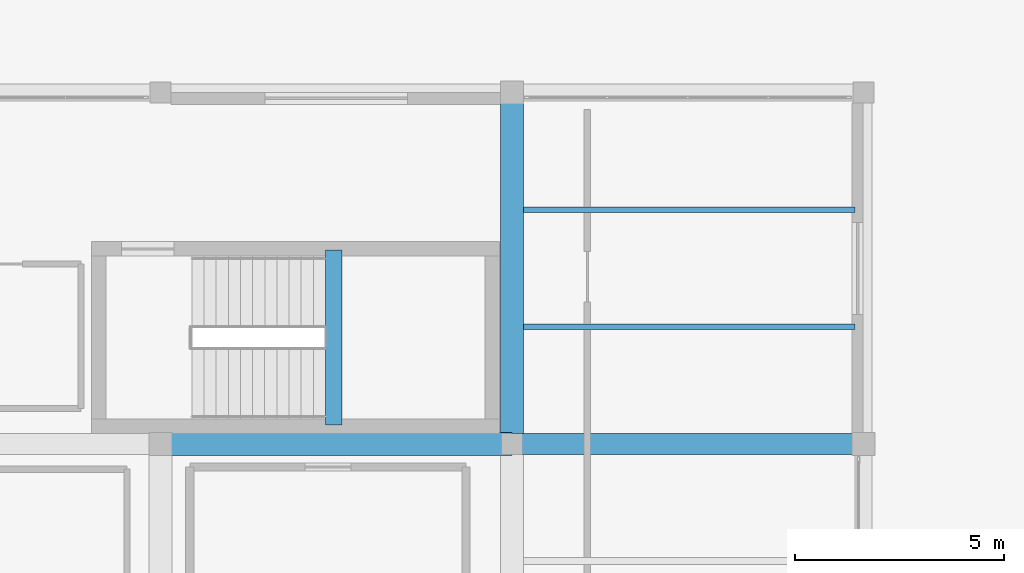
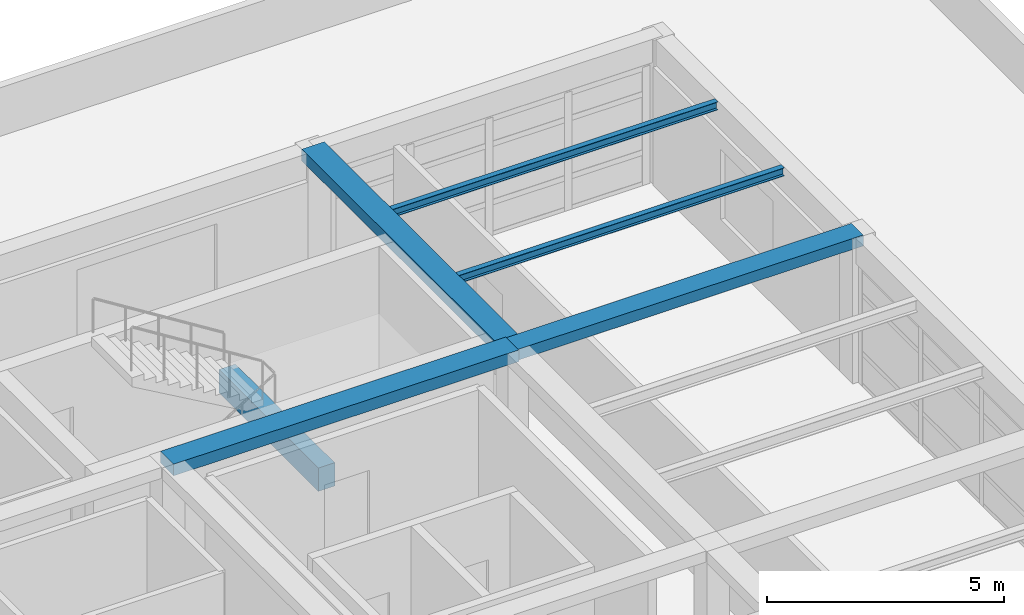
# One storey, part 12 of 22: 6 beams.
"""IFC4 building model written with IfcOpenShell, lengths in metres."""

from ifc_helpers import new_model, si_unit, direction, frame, origin, origin_2d, place, context, subcontext, project, spatial, rectangle, i_section, extrude, material, material_profile, profile_set, type_object, element, save


model = new_model("IFC4")

# Units and contexts
model_context = context("Model", 3, precision=1e-05, world=origin(), true_north=direction((0.0, 1.0)))
body_context = subcontext(model_context, "Body", "Model", "MODEL_VIEW")
ifc_project = project(units=[si_unit("LENGTHUNIT", "METRE"), si_unit("AREAUNIT", "SQUARE_METRE"), si_unit("VOLUMEUNIT", "CUBIC_METRE"), si_unit("PLANEANGLEUNIT", "RADIAN"), si_unit("MASSUNIT", "GRAM", prefix="KILO")], contexts=[model_context])

# Site, building, storey
site_placement = place(None, origin())
site = spatial("IfcSite", under=ifc_project, at=site_placement, CompositionType="ELEMENT")
building_placement = place(site_placement, origin())
building = spatial("IfcBuilding", under=site, at=building_placement, Name="Almacenes y Pasaje Nevantli", CompositionType="ELEMENT")
storey_placement = place(building_placement, frame((0.0, 0.0, 58.699951171875)))
storey = spatial("IfcBuildingStorey", under=building, at=storey_placement, Name="L14", CompositionType="ELEMENT", Elevation=58.699951171875)

# Beams
ifc_material_1 = material(Name="Concrete C35/45", Category="concrete")
ifc_material_profile_1 = material_profile(ifc_material_1, rectangle(XDim=0.39990234375, YDim=0.60009765625, at=origin_2d()), Name="RC-BM-400x600")
ifc_profile_set_1 = profile_set([ifc_material_profile_1], Name="Concrete C35/45")
beam_type_1 = type_object("IfcBeamType", Name="BM-RC-400x600", PredefinedType="SPANDREL", material=ifc_profile_set_1)
beam_1_placement = place(storey_placement, frame((138.5400390625, 84.449951171875, 1.5), z_axis=(0.0, 1.0, 0.0), x_axis=(-1.0, 0.0, 0.0)))
element("IfcBeam", 1, at=beam_1_placement, inside=storey, type_object=beam_type_1, Name="L14 Stair ST-02 Half-Landing Support Beam", PredefinedType="SPANDREL", context=body_context, shape_type="SweptSolid", body=[
    extrude(rectangle(XDim=0.39990234375, YDim=0.60009765625, at=origin_2d()), origin(), (0.0, 0.0, 1.0), 4.18994140625),
])
ifc_material_2 = material(Name="Concrete C35/45", Category="concrete")
ifc_material_profile_2 = material_profile(ifc_material_2, rectangle(XDim=0.5, YDim=0.280029296875, at=origin_2d()), Name="RC-BM-500x280")
ifc_profile_set_2 = profile_set([ifc_material_profile_2], Name="Concrete C35/45")
beam_type_2 = type_object("IfcBeamType", Name="BM-RC-500x280", PredefinedType="BEAM", material=ifc_profile_set_2)
beam_2_placement = place(storey_placement, frame((142.800048828125, 84.0, 3.580078125), z_axis=(1.0, 0.0, 0.0), x_axis=(0.0, 1.0, 0.0)))
element("IfcBeam", 2, at=beam_2_placement, inside=storey, type_object=beam_type_2, Name="L14 East-West Reinforced Concrete Beam #3996", PredefinedType="BEAM", context=body_context, shape_type="SweptSolid", body=[
    extrude(rectangle(XDim=0.5, YDim=0.280029296875, at=origin_2d()), origin(), (0.0, 0.0, 1.0), 8.39990234375),
])
ifc_material_3 = material(Name="Concrete C35/45", Category="concrete")
ifc_material_profile_3 = material_profile(ifc_material_3, rectangle(XDim=0.550048828125, YDim=0.300048828125, at=origin_2d()), Name="RC-BM-550x300")
ifc_profile_set_3 = profile_set([ifc_material_profile_3], Name="Concrete C35/45")
beam_type_3 = type_object("IfcBeamType", Name="BM-RC-550x300", PredefinedType="BEAM", material=ifc_profile_set_3)
beam_3_placement = place(storey_placement, frame((134.39990234375, 84.0, 3.570068359375), z_axis=(1.0, 0.0, 0.0), x_axis=(0.0, 1.0, 0.0)))
element("IfcBeam", 3, at=beam_3_placement, inside=storey, type_object=beam_type_3, Name="L14 East-West Reinforced Concrete Beam #3995", PredefinedType="BEAM", context=body_context, shape_type="SweptSolid", body=[
    extrude(rectangle(XDim=0.550048828125, YDim=0.300048828125, at=origin_2d()), origin(), (0.0, 0.0, 1.0), 8.400146484375),
])
beam_4_placement = place(storey_placement, frame((142.800048828125, 84.0, 3.570068359375), z_axis=(0.0, 1.0, 0.0), x_axis=(-1.0, 0.0, 0.0)))
element("IfcBeam", 4, at=beam_4_placement, inside=storey, type_object=beam_type_3, Name="L14 North-South Reinforced Concrete Beam #4010", PredefinedType="BEAM", context=body_context, shape_type="SweptSolid", body=[
    extrude(rectangle(XDim=0.550048828125, YDim=0.300048828125, at=origin_2d()), origin(), (0.0, 0.0, 1.0), 8.39990234375),
])
ifc_material_4 = material(Name="Steel ASTM A992", Category="steel")
ifc_material_profile_4 = material_profile(ifc_material_4, i_section(OverallWidth=0.134033203125, OverallDepth=0.2099609375, WebThickness=0.00634765625, FlangeThickness=0.01025390625, at=origin_2d()), Name="IR 203x31.3")
ifc_profile_set_4 = profile_set([ifc_material_profile_4], Name="Steel ASTM A992")
beam_type_4 = type_object("IfcBeamType", Name="BM-STL-IR-203x31p3", PredefinedType="JOIST", material=ifc_profile_set_4)
for number, where, z_axis, x_axis, name in (
    (5, (143.074951171875, 86.800048828125, 3.60693359375), (1.0, 0.0, 0.0), (0.0, 1.0, 0.0), "L14 Secondary Steel Floor Joist #1601"),
    (6, (143.074951171875, 89.60009765625, 3.60693359375), (1.0, 0.0, 0.0), (0.0, 1.0, 0.0), "L14 Secondary Steel Floor Joist #1602"),
):
    element("IfcBeam", number, at=place(storey_placement, frame(where, z_axis=z_axis, x_axis=x_axis)), inside=storey, type_object=beam_type_4, Name=name, PredefinedType="JOIST", context=body_context, shape_type="SweptSolid", body=[
        extrude(i_section(OverallWidth=0.134033203125, OverallDepth=0.2099609375, WebThickness=0.00634765625, FlangeThickness=0.01025390625, at=origin_2d()), origin(), (0.0, 0.0, 1.0), 7.925048828125),
    ])

save(model, "model.ifc")
